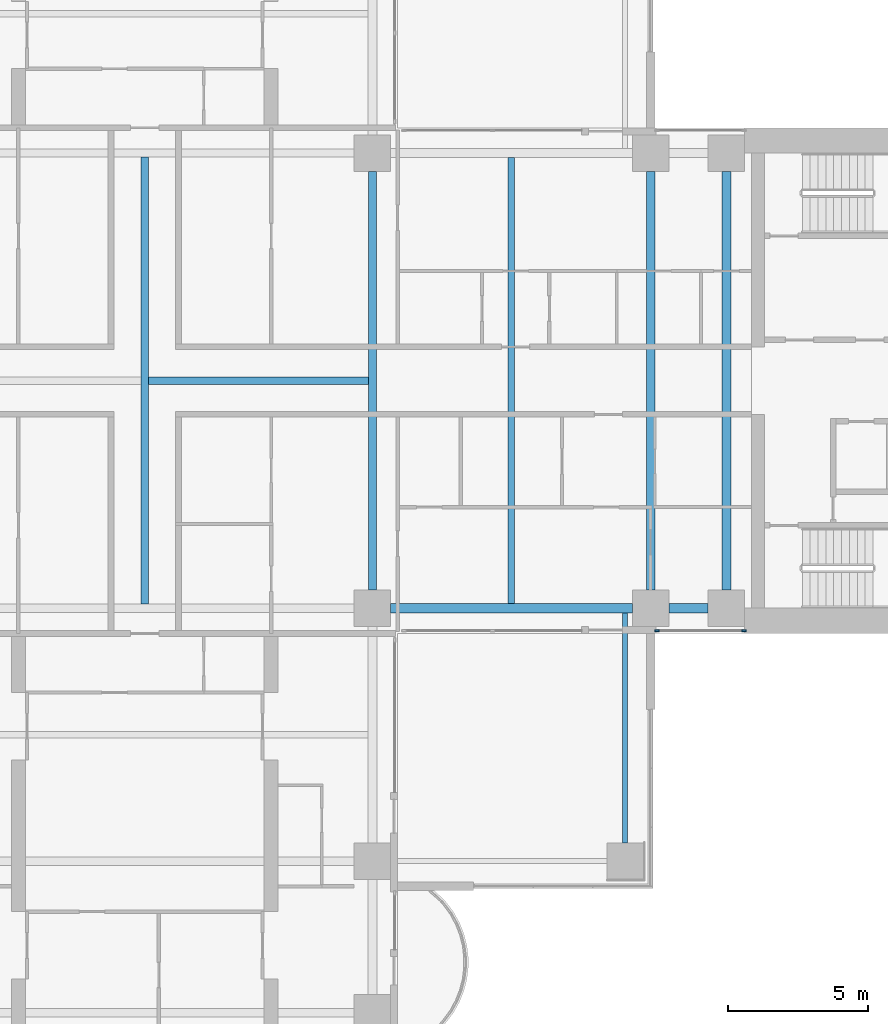
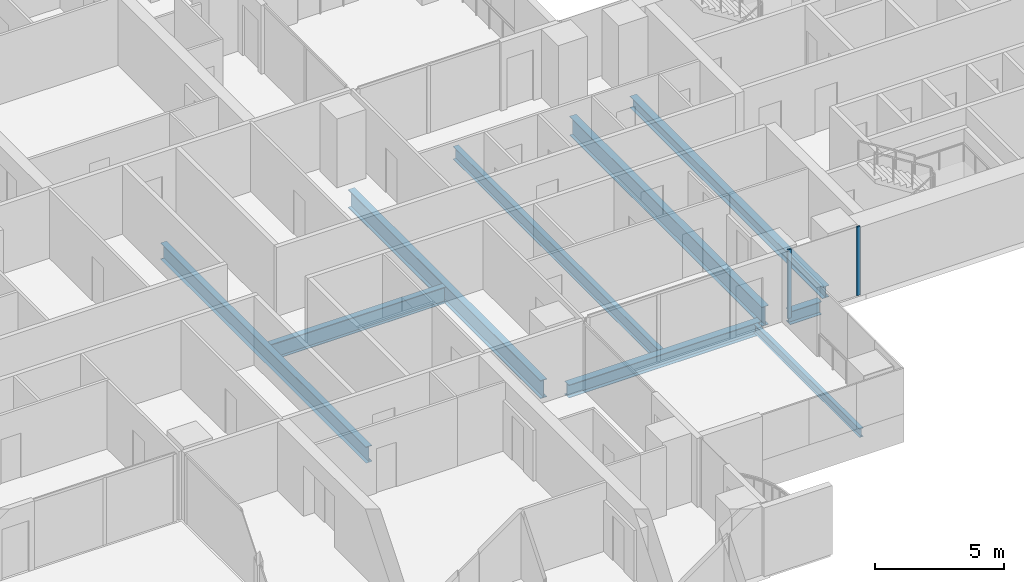
# One storey, part 4 of 20: 9 beams, 2 members, 1 element without a shape of its own.
"""IFC4 building model written with IfcOpenShell, lengths in metres."""

from ifc_helpers import new_model, si_unit, direction, frame, origin, origin_2d, place, context, subcontext, project, spatial, rectangle, i_section, extrude, material, material_profile, profile_set, type_object, element, aggregate, save


model = new_model("IFC4")

# Units and contexts
model_context = context("Model", 3, precision=1e-05, world=origin(), true_north=direction((0.0, 1.0)))
body_context = subcontext(model_context, "Body", "Model", "MODEL_VIEW")
ifc_project = project(units=[si_unit("LENGTHUNIT", "METRE"), si_unit("AREAUNIT", "SQUARE_METRE"), si_unit("VOLUMEUNIT", "CUBIC_METRE"), si_unit("PLANEANGLEUNIT", "RADIAN"), si_unit("MASSUNIT", "GRAM", prefix="KILO")], contexts=[model_context])

# Site, building, storey
site_placement = place(None, origin())
site = spatial("IfcSite", under=ifc_project, at=site_placement, CompositionType="ELEMENT")
building_placement = place(site_placement, origin())
building = spatial("IfcBuilding", under=site, at=building_placement, Name="Perihelion Cross Residences", CompositionType="ELEMENT")
storey_placement = place(building_placement, frame((0.0, 0.0, 78.5)))
storey = spatial("IfcBuildingStorey", under=building, at=storey_placement, Name="L17", CompositionType="ELEMENT", Elevation=78.5)

# Curtain wall, members
ifc_material_1 = material(Name="Bronze anodised aluminium, tinted glazing", Category="aluminium")
curtain_wall_type = type_object("IfcCurtainWallType", Name="CW1", PredefinedType="NOTDEFINED", material=ifc_material_1)
curtain_wall_placement = place(storey_placement, origin())
curtain_wall = element("IfcCurtainWall", 1, at=curtain_wall_placement, inside=storey, type_object=curtain_wall_type, Name="Curtain wall CW1 L17 east side south bay 2", PredefinedType="NOTDEFINED")
ifc_material_2 = material(Name="Bronze anodised aluminium", Category="aluminium")
ifc_material_profile_1 = material_profile(ifc_material_2, rectangle(XDim=0.06005859375, YDim=0.159912109375, at=origin_2d()), Name="CW1 mullion")
ifc_profile_set_1 = profile_set([ifc_material_profile_1], Name="Bronze anodised aluminium")
member_type = type_object("IfcMemberType", Name="CW1 mullion", PredefinedType="MULLION", material=ifc_profile_set_1)
member_1_placement = place(storey_placement, frame((18.22998046875, -8.89990234375, 0.0), z_axis=(0.0, 0.0, 1.0), x_axis=(0.0, 1.0, 0.0)))
member_1 = element("IfcMember", 2, at=member_1_placement, type_object=member_type, Name="CW1 mullion 1", PredefinedType="MULLION", context=body_context, shape_type="SweptSolid", body=[
    extrude(rectangle(XDim=0.06005859375, YDim=0.159912109375, at=origin_2d()), origin(), (0.0, 0.0, 1.0), 3.25),
])
member_2_placement = place(storey_placement, frame((21.320068359375, -8.89990234375, 0.0), z_axis=(0.0, 0.0, 1.0), x_axis=(0.0, 1.0, 0.0)))
member_2 = element("IfcMember", 3, at=member_2_placement, type_object=member_type, Name="CW1 mullion 2", PredefinedType="MULLION", context=body_context, shape_type="SweptSolid", body=[
    extrude(rectangle(XDim=0.06005859375, YDim=0.159912109375, at=origin_2d()), origin(), (0.0, 0.0, 1.0), 3.25),
])
aggregate(curtain_wall, [member_1, member_2])

# Beams
ifc_material_3 = material(Name="Steel S355", Category="steel")
ifc_material_profile_2 = material_profile(ifc_material_3, i_section(OverallWidth=0.177978515625, OverallDepth=0.406005859375, WebThickness=0.0078125, FlangeThickness=0.0126953125, at=origin_2d()), Name="W410x60")
ifc_profile_set_2 = profile_set([ifc_material_profile_2], Name="Steel S355")
beam_type_1 = type_object("IfcBeamType", Name="Core edge beam W410x60", PredefinedType="BEAM", material=ifc_profile_set_2)
beam_1_placement = place(storey_placement, frame((17.10009765625, -8.262451171875, -0.452880859375), z_axis=(0.0, -1.0, 0.0), x_axis=(1.0, 0.0, 0.0)))
element("IfcBeam", 4, at=beam_1_placement, inside=storey, type_object=beam_type_1, Name="Core edge beam TB2 L17 corner no. 5", PredefinedType="BEAM", context=body_context, shape_type="SweptSolid", body=[
    extrude(i_section(OverallWidth=0.177978515625, OverallDepth=0.406005859375, WebThickness=0.0078125, FlangeThickness=0.0126953125, at=origin_2d()), origin(), (0.0, 0.0, 1.0), 8.1875),
])
ifc_material_4 = material(Name="Steel S355", Category="steel")
ifc_material_profile_3 = material_profile(ifc_material_4, i_section(OverallWidth=0.31201171875, OverallDepth=0.5439453125, WebThickness=0.0126953125, FlangeThickness=0.020263671875, at=origin_2d()), Name="W530x150")
ifc_profile_set_3 = profile_set([ifc_material_profile_3], Name="Steel S355")
beam_type_2 = type_object("IfcBeamType", Name="Core edge beam W530x150", PredefinedType="BEAM", material=ifc_profile_set_3)
beam_2_placement = place(storey_placement, frame((20.699951171875, -7.449951171875, -0.52197265625), z_axis=(0.0, 1.0, 0.0), x_axis=(-1.0, 0.0, 0.0)))
element("IfcBeam", 5, at=beam_2_placement, inside=storey, type_object=beam_type_2, Name="Core edge beam TB4 L17 no. 2", PredefinedType="BEAM", context=body_context, shape_type="SweptSolid", body=[
    extrude(i_section(OverallWidth=0.31201171875, OverallDepth=0.5439453125, WebThickness=0.0126953125, FlangeThickness=0.020263671875, at=origin_2d()), origin(), (0.0, 0.0, 1.0), 14.89990234375),
])
ifc_material_5 = material(Name="Steel S355", Category="steel")
ifc_material_profile_4 = material_profile(ifc_material_5, i_section(OverallWidth=0.324951171875, OverallDepth=0.616943359375, WebThickness=0.013916015625, FlangeThickness=0.021484375, at=origin_2d()), Name="W610x174")
ifc_profile_set_4 = profile_set([ifc_material_profile_4], Name="Steel S355")
beam_type_3 = type_object("IfcBeamType", Name="Edge beam W610x174", PredefinedType="SPANDREL", material=ifc_profile_set_4)
beam_3_placement = place(storey_placement, frame((8.75, -8.10009765625, -0.55859375), z_axis=(1.0, 0.0, 0.0), x_axis=(0.0, 1.0, 0.0)))
element("IfcBeam", 6, at=beam_3_placement, inside=storey, type_object=beam_type_3, Name="Edge beam SB2 L17 no. 18", PredefinedType="SPANDREL", context=body_context, shape_type="SweptSolid", body=[
    extrude(i_section(OverallWidth=0.324951171875, OverallDepth=0.616943359375, WebThickness=0.013916015625, FlangeThickness=0.021484375, at=origin_2d()), origin(), (0.0, 0.0, 1.0), 8.60009765625),
])
beam_4_placement = place(storey_placement, frame((18.64990234375, -8.10009765625, -0.55859375), z_axis=(1.0, 0.0, 0.0), x_axis=(0.0, 1.0, 0.0)))
element("IfcBeam", 7, at=beam_4_placement, inside=storey, type_object=beam_type_3, Name="Edge beam SB2 L17 no. 12", PredefinedType="SPANDREL", context=body_context, shape_type="SweptSolid", body=[
    extrude(i_section(OverallWidth=0.324951171875, OverallDepth=0.616943359375, WebThickness=0.013916015625, FlangeThickness=0.021484375, at=origin_2d()), origin(), (0.0, 0.0, 1.0), 1.400146484375),
])
ifc_material_6 = material(Name="Steel S355", Category="steel")
ifc_material_profile_5 = material_profile(ifc_material_6, i_section(OverallWidth=0.304931640625, OverallDepth=0.904052734375, WebThickness=0.01513671875, FlangeThickness=0.02001953125, at=origin_2d()), Name="W920x201")
ifc_profile_set_5 = profile_set([ifc_material_profile_5], Name="Steel S355")
beam_type_4 = type_object("IfcBeamType", Name="Floor girder W920x201", PredefinedType="BEAM", material=ifc_profile_set_5)
beam_5_placement = place(storey_placement, frame((18.0, -7.449951171875, -0.701904296875), z_axis=(0.0, 1.0, 0.0), x_axis=(-1.0, 0.0, 0.0)))
element("IfcBeam", 8, at=beam_5_placement, inside=storey, type_object=beam_type_4, Name="Girder G2 L17 no. 2", PredefinedType="BEAM", context=body_context, shape_type="SweptSolid", body=[
    extrude(i_section(OverallWidth=0.304931640625, OverallDepth=0.904052734375, WebThickness=0.01513671875, FlangeThickness=0.02001953125, at=origin_2d()), origin(), (0.0, 0.0, 1.0), 14.89990234375),
])
ifc_material_7 = material(Name="Steel S355", Category="steel")
ifc_material_profile_6 = material_profile(ifc_material_7, i_section(OverallWidth=0.22900390625, OverallDepth=0.612060546875, WebThickness=0.011962890625, FlangeThickness=0.01953125, at=origin_2d()), Name="W610x125")
ifc_profile_set_6 = profile_set([ifc_material_profile_6], Name="Steel S355")
beam_type_5 = type_object("IfcBeamType", Name="Floor joist W610x125", PredefinedType="JOIST", material=ifc_profile_set_6)
beam_6_placement = place(storey_placement, frame((13.050048828125, -7.9375, -0.555908203125), z_axis=(0.0, 1.0, 0.0), x_axis=(-1.0, 0.0, 0.0)))
element("IfcBeam", 9, at=beam_6_placement, inside=storey, type_object=beam_type_5, Name="Joist J3 L17 no. 2", PredefinedType="JOIST", context=body_context, shape_type="SweptSolid", body=[
    extrude(i_section(OverallWidth=0.22900390625, OverallDepth=0.612060546875, WebThickness=0.011962890625, FlangeThickness=0.01953125, at=origin_2d()), origin(), (0.0, 0.0, 1.0), 15.875),
])
ifc_material_8 = material(Name="Steel S355", Category="steel")
ifc_material_profile_7 = material_profile(ifc_material_8, i_section(OverallWidth=0.26708984375, OverallDepth=0.77001953125, WebThickness=0.015625, FlangeThickness=0.025390625, at=origin_2d()), Name="W760x196")
ifc_profile_set_7 = profile_set([ifc_material_profile_7], Name="Steel S355")
beam_type_6 = type_object("IfcBeamType", Name="Hub cross beam W760x196", PredefinedType="BEAM", material=ifc_profile_set_7)
beam_7_placement = place(storey_placement, frame((0.0, -7.9541015625, -0.635009765625), z_axis=(0.0, 1.0, 0.0), x_axis=(-1.0, 0.0, 0.0)))
element("IfcBeam", 10, at=beam_7_placement, inside=storey, type_object=beam_type_6, Name="Hub cross beam XB2 L17 no. 1", PredefinedType="BEAM", context=body_context, shape_type="SweptSolid", body=[
    extrude(i_section(OverallWidth=0.26708984375, OverallDepth=0.77001953125, WebThickness=0.015625, FlangeThickness=0.025390625, at=origin_2d()), origin(), (0.0, 0.0, 1.0), 15.908203125),
])
beam_8_placement = place(storey_placement, frame((0.133544921875, 0.0, -0.635009765625), z_axis=(1.0, 0.0, 0.0), x_axis=(0.0, 1.0, 0.0)))
element("IfcBeam", 11, at=beam_8_placement, inside=storey, type_object=beam_type_6, Name="Hub cross beam XB2 L17 2 no. 1", PredefinedType="BEAM", context=body_context, shape_type="SweptSolid", body=[
    extrude(i_section(OverallWidth=0.26708984375, OverallDepth=0.77001953125, WebThickness=0.015625, FlangeThickness=0.025390625, at=origin_2d()), origin(), (0.0, 0.0, 1.0), 7.820556640625),
])
ifc_material_9 = material(Name="Steel S355", Category="steel")
ifc_material_profile_8 = material_profile(ifc_material_9, i_section(OverallWidth=0.2919921875, OverallDepth=0.85888671875, WebThickness=0.01708984375, FlangeThickness=0.031005859375, at=origin_2d()), Name="W840x251")
ifc_profile_set_8 = profile_set([ifc_material_profile_8], Name="Steel S355")
beam_type_7 = type_object("IfcBeamType", Name="Hub ring girder W840x251", PredefinedType="BEAM", material=ifc_profile_set_8)
beam_9_placement = place(storey_placement, frame((8.10009765625, -7.449951171875, -0.679443359375), z_axis=(0.0, 1.0, 0.0), x_axis=(-1.0, 0.0, 0.0)))
element("IfcBeam", 12, at=beam_9_placement, inside=storey, type_object=beam_type_7, Name="Hub ring girder RG2 L17 no. 3", PredefinedType="BEAM", context=body_context, shape_type="SweptSolid", body=[
    extrude(i_section(OverallWidth=0.2919921875, OverallDepth=0.85888671875, WebThickness=0.01708984375, FlangeThickness=0.031005859375, at=origin_2d()), origin(), (0.0, 0.0, 1.0), 14.89990234375),
])

save(model, "model.ifc")
